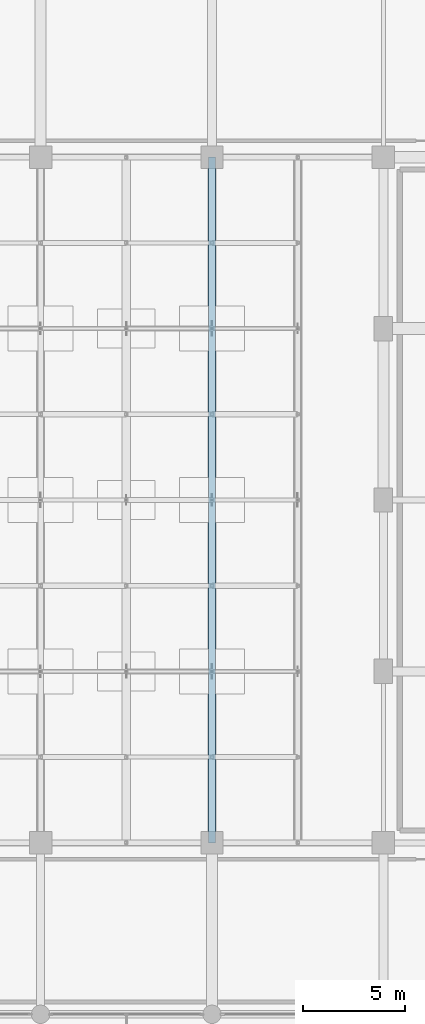
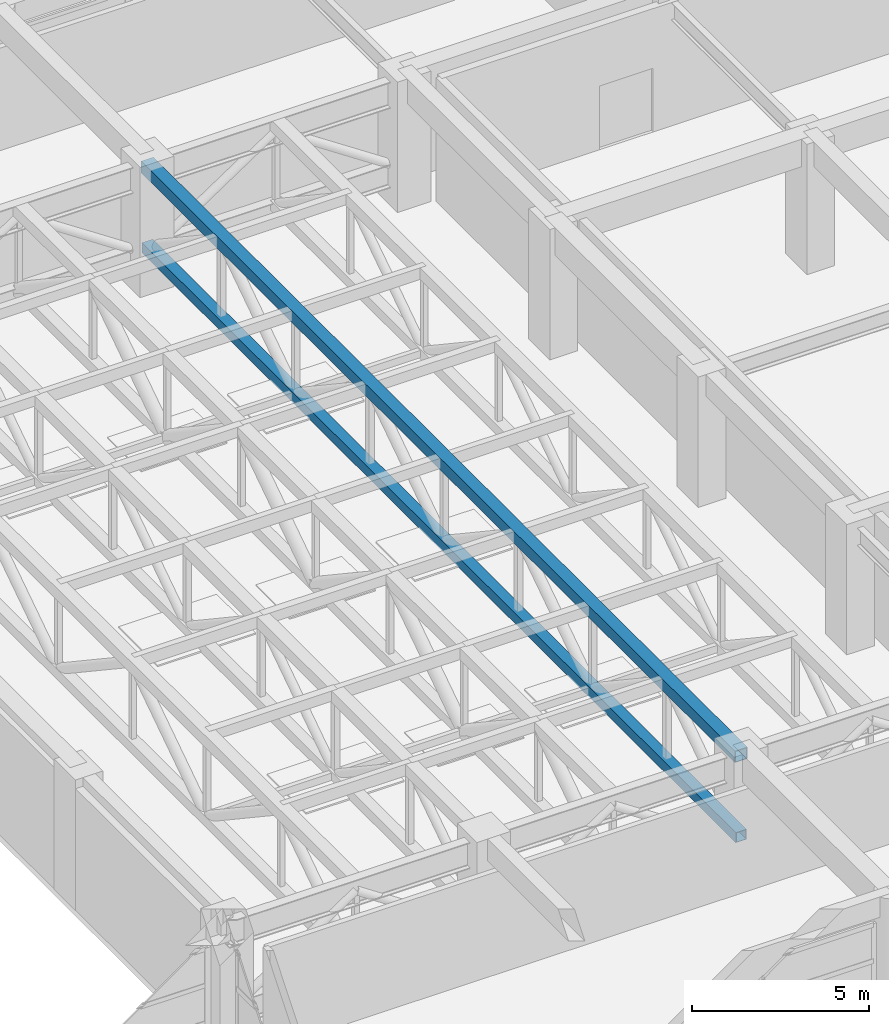
# One storey, part 19 of 47: 2 beams.
"""IFC4 building model written with IfcOpenShell, lengths in metres."""

from ifc_helpers import new_model, si_unit, direction, frame, origin, origin_2d, place, context, subcontext, project, spatial, hollow_rectangle, extrude, material, material_profile, profile_set, type_object, element, save


model = new_model("IFC4")

# Units and contexts
model_context = context("Model", 3, precision=1e-05, world=origin(), true_north=direction((0.0, 1.0)))
body_context = subcontext(model_context, "Body", "Model", "MODEL_VIEW")
ifc_project = project(units=[si_unit("LENGTHUNIT", "METRE"), si_unit("AREAUNIT", "SQUARE_METRE"), si_unit("VOLUMEUNIT", "CUBIC_METRE"), si_unit("PLANEANGLEUNIT", "RADIAN"), si_unit("MASSUNIT", "GRAM", prefix="KILO")], contexts=[model_context])

# Site, building, storey
site_placement = place(None, origin())
site = spatial("IfcSite", under=ifc_project, at=site_placement, CompositionType="ELEMENT")
building_placement = place(site_placement, origin())
building = spatial("IfcBuilding", under=site, at=building_placement, Name="Xuanlan Plaza Opera House", CompositionType="ELEMENT")
storey_placement = place(building_placement, frame((0.0, 0.0, 23.39990234375)))
storey = spatial("IfcBuildingStorey", under=building, at=storey_placement, Name="L05", CompositionType="ELEMENT", Elevation=23.39990234375)

# Beams
ifc_material = material(Name="Steel Q390B", Category="steel")
ifc_material_profile_1 = material_profile(ifc_material, hollow_rectangle(XDim=0.39990234375, YDim=0.39990234375, WallThickness=0.02001953125, at=origin_2d()), Name="SHS 400x400x20")
ifc_profile_set_1 = profile_set([ifc_material_profile_1], Name="Steel Q390B")
beam_type_1 = type_object("IfcBeamType", Name="STR-BM-TCH-03", PredefinedType="BEAM", material=ifc_profile_set_1)
beam_1_placement = place(storey_placement, frame((84.0, 42.0, 4.05908203125), z_axis=(0.0, 1.0, 0.0), x_axis=(-1.0, 0.0, 0.0)))
element("IfcBeam", 1, at=beam_1_placement, inside=storey, type_object=beam_type_1, Name="Auditorium Roof Truss AUD-04 Top Chord Girder", PredefinedType="BEAM", context=body_context, shape_type="SweptSolid", body=[
    extrude(hollow_rectangle(XDim=0.39990234375, YDim=0.39990234375, WallThickness=0.02001953125, at=origin_2d()), origin(), (0.0, 0.0, 1.0), 33.60009765625),
])
ifc_material_profile_2 = material_profile(ifc_material, hollow_rectangle(XDim=0.35009765625, YDim=0.35009765625, WallThickness=0.01611328125, at=origin_2d()), Name="SHS 350x350x16")
ifc_profile_set_2 = profile_set([ifc_material_profile_2], Name="Steel Q390B")
beam_type_2 = type_object("IfcBeamType", Name="STR-BM-TCH-04", PredefinedType="BEAM", material=ifc_profile_set_2)
beam_2_placement = place(storey_placement, frame((84.0, 42.0, 1.259033203125), z_axis=(0.0, 1.0, 0.0), x_axis=(-1.0, 0.0, 0.0)))
element("IfcBeam", 2, at=beam_2_placement, inside=storey, type_object=beam_type_2, Name="Auditorium Roof Truss AUD-04 Bottom Chord Girder", PredefinedType="BEAM", context=body_context, shape_type="SweptSolid", body=[
    extrude(hollow_rectangle(XDim=0.35009765625, YDim=0.35009765625, WallThickness=0.01611328125, at=origin_2d()), origin(), (0.0, 0.0, 1.0), 33.60009765625),
])

save(model, "model.ifc")
